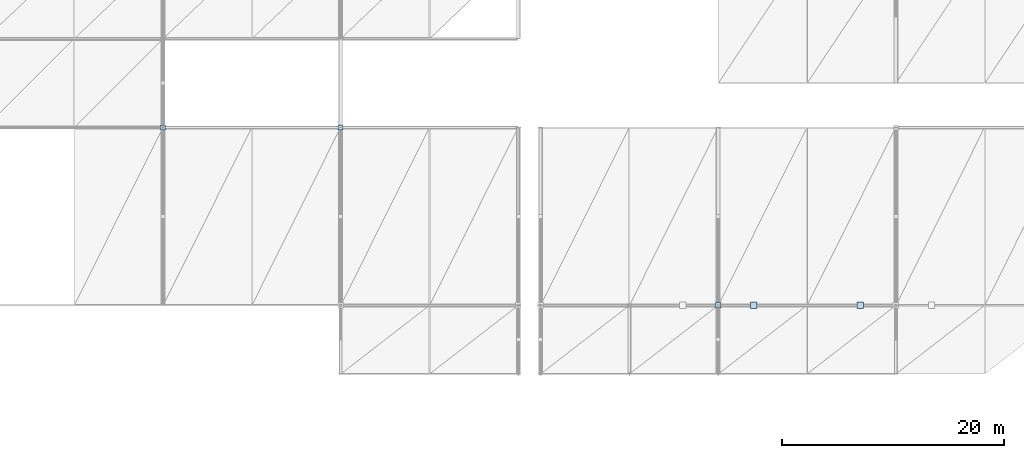
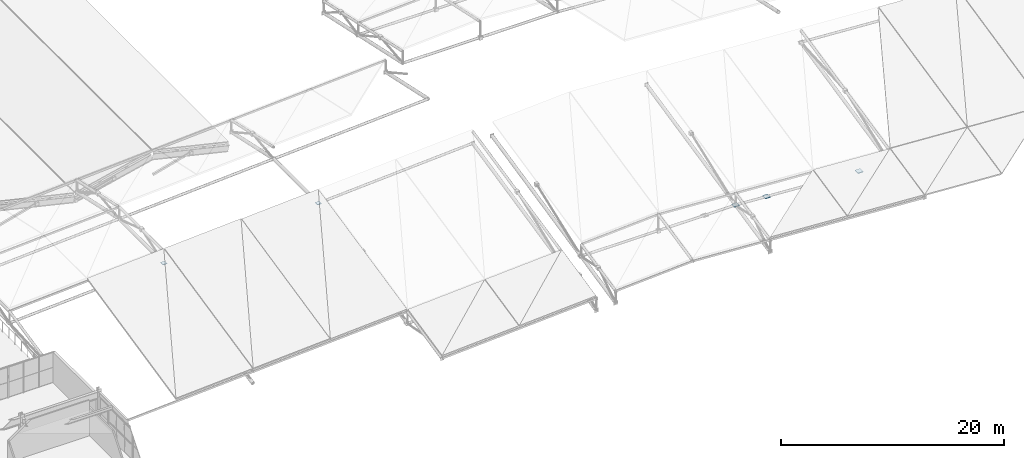
# One storey, part 41 of 67: 5 plates.
"""IFC4 building model written with IfcOpenShell, lengths in metres."""

from ifc_helpers import new_model, si_unit, direction, frame, origin, origin_2d, place, context, subcontext, project, spatial, rectangle, extrude, material, layer, layer_set, type_object, element, save


model = new_model("IFC4")

# Units and contexts
model_context = context("Model", 3, precision=1e-05, world=origin(), true_north=direction((0.0, 1.0)))
body_context = subcontext(model_context, "Body", "Model", "MODEL_VIEW")
ifc_project = project(units=[si_unit("LENGTHUNIT", "METRE"), si_unit("AREAUNIT", "SQUARE_METRE"), si_unit("VOLUMEUNIT", "CUBIC_METRE"), si_unit("PLANEANGLEUNIT", "RADIAN"), si_unit("MASSUNIT", "GRAM", prefix="KILO")], contexts=[model_context])

# Site, building, storey
site_placement = place(None, origin())
site = spatial("IfcSite", under=ifc_project, at=site_placement, CompositionType="ELEMENT")
building_placement = place(site_placement, origin())
building = spatial("IfcBuilding", under=site, at=building_placement, Name="Drelvath Fold Interchange", CompositionType="ELEMENT")
storey_placement = place(building_placement, frame((0.0, 0.0, 15.60009765625)))
storey = spatial("IfcBuildingStorey", under=building, at=storey_placement, Name="L03", CompositionType="ELEMENT", Elevation=15.60009765625)

# Plates
ifc_material = material(Name="Steel ASTM A572 Grade 50", Category="steel")
ifc_layer_1 = layer(ifc_material, 0.080078125, Name="Steel ASTM A572 Grade 50")
ifc_layer_set_1 = layer_set([ifc_layer_1], Name="Steel ASTM A572 Grade 50")
plate_type_1 = type_object("IfcPlateType", Name="SN-01", PredefinedType="USERDEFINED", material=ifc_layer_set_1)
plate_placement = place(storey_placement, frame((118.0, 27.0, 1.098876953125), z_axis=(0.0, 0.0, 1.0), x_axis=(1.0, 0.0, 0.0)))
element("IfcPlate", 1, at=plate_placement, inside=storey, type_object=plate_type_1, Name="Space frame column bearing node SN-01", ObjectType="GUSSET PLATE", PredefinedType="USERDEFINED", context=body_context, shape_type="SweptSolid", body=[
    extrude(rectangle(XDim=0.52001953125, YDim=0.52001953125, at=origin_2d()), origin(), (0.0, 0.0, 1.0), 0.080078125),
])
ifc_layer_2 = layer(ifc_material, 0.06005859375, Name="Steel ASTM A572 Grade 50")
ifc_layer_set_2 = layer_set([ifc_layer_2], Name="Steel ASTM A572 Grade 50")
plate_type_2 = type_object("IfcPlateType", Name="SN-02", PredefinedType="USERDEFINED", material=ifc_layer_set_2)
for number, where, z_axis, x_axis, name in (
    (2, (68.0, 43.0, 2.5517578125), (0.0, 0.0, 1.0), (1.0, 0.0, 0.0), "Space frame spine node SN-02"),
    (3, (84.0, 43.0, 3.513916015625), (0.0, 0.0, 1.0), (1.0, 0.0, 0.0), "Space frame spine node SN-02"),
):
    element("IfcPlate", number, at=place(storey_placement, frame(where, z_axis=z_axis, x_axis=x_axis)), inside=storey, type_object=plate_type_2, Name=name, ObjectType="GUSSET PLATE", PredefinedType="USERDEFINED", context=body_context, shape_type="SweptSolid", body=[
        extrude(rectangle(XDim=0.43994140625, YDim=0.43994140625, at=origin_2d()), origin(), (0.0, 0.0, 1.0), 0.06005859375),
    ])
ifc_layer_3 = layer(ifc_material, 0.070068359375, Name="Steel ASTM A572 Grade 50")
ifc_layer_set_3 = layer_set([ifc_layer_3], Name="Steel ASTM A572 Grade 50")
plate_type_3 = type_object("IfcPlateType", Name="VN-02", PredefinedType="USERDEFINED", material=ifc_layer_set_3)
for number, where, z_axis, x_axis, name in (
    (4, (121.199951171875, 27.0, 0.90966796875), (0.0, 0.0, 1.0), (1.0, 0.0, 0.0), "Canopy V-strut head gusset VN-02"),
    (5, (130.800048828125, 27.0, 0.33203125), (0.0, 0.0, 1.0), (1.0, 0.0, 0.0), "Canopy V-strut head gusset VN-02"),
):
    element("IfcPlate", number, at=place(storey_placement, frame(where, z_axis=z_axis, x_axis=x_axis)), inside=storey, type_object=plate_type_3, Name=name, ObjectType="GUSSET PLATE", PredefinedType="USERDEFINED", context=body_context, shape_type="SweptSolid", body=[
        extrude(rectangle(XDim=0.56005859375, YDim=0.56005859375, at=origin_2d()), origin(), (0.0, 0.0, 1.0), 0.070068359375),
    ])

save(model, "model.ifc")
